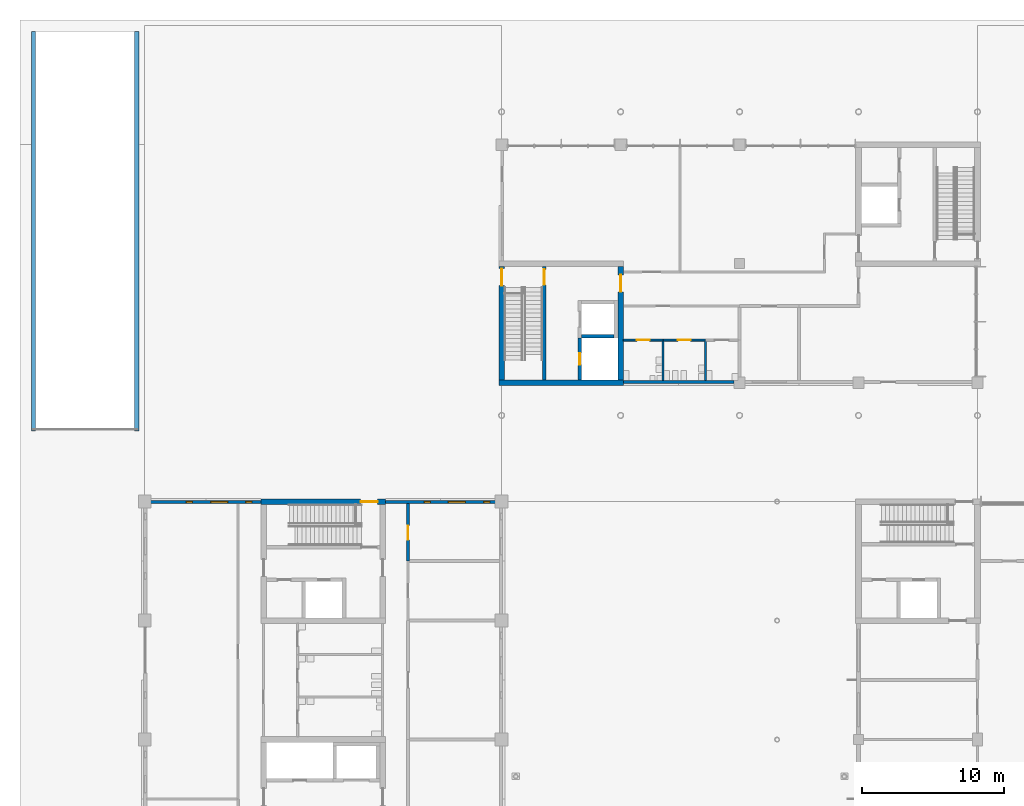
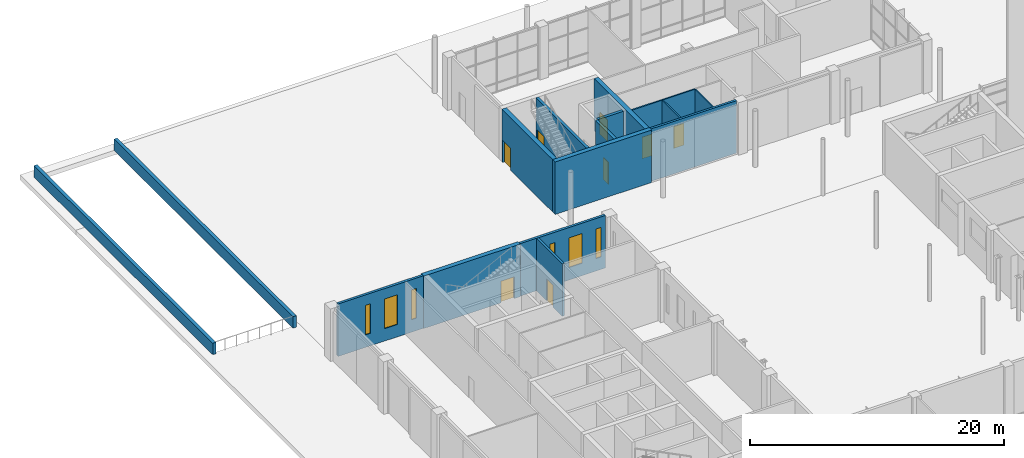
# One storey, part 44 of 76: 17 walls, 8 doors, 6 windows, 14 openings.
"""IFC4 building model written with IfcOpenShell, lengths in metres."""

from ifc_helpers import new_model, si_unit, direction, frame, frame_2d, origin, place, context, subcontext, project, spatial, rectangle, extrude, material, layer, layer_set, type_object, element, fill, save


model = new_model("IFC4")

# Units and contexts
model_context = context("Model", 3, precision=1e-05, world=origin(), true_north=direction((0.0, 1.0)))
body_context = subcontext(model_context, "Body", "Model", "MODEL_VIEW")
ifc_project = project(units=[si_unit("LENGTHUNIT", "METRE"), si_unit("AREAUNIT", "SQUARE_METRE"), si_unit("VOLUMEUNIT", "CUBIC_METRE"), si_unit("PLANEANGLEUNIT", "RADIAN"), si_unit("MASSUNIT", "GRAM", prefix="KILO")], contexts=[model_context])

# Site, building, storey
site_placement = place(None, origin())
site = spatial("IfcSite", under=ifc_project, at=site_placement, CompositionType="ELEMENT")
building_placement = place(site_placement, origin())
building = spatial("IfcBuilding", under=site, at=building_placement, Name="Hlaing Beacon Police Headquarters", CompositionType="ELEMENT")
storey_placement = place(building_placement, origin())
storey = spatial("IfcBuildingStorey", under=building, at=storey_placement, Name="L00", CompositionType="ELEMENT", Elevation=0.0)

# Wall
ifc_material_1 = material(Name="Concrete C60/75", Category="concrete")
ifc_layer_1 = layer(ifc_material_1, 0.39990234375)
ifc_layer_set_1 = layer_set([ifc_layer_1], Name="Concrete C60/75")
wall_type_1 = type_object("IfcWallType", Name="Core shear wall 400", PredefinedType="SHEAR", material=ifc_layer_set_1)
wall_1_placement = place(storey_placement, frame((33.39990234375, 75.60009765625, 0.0), z_axis=(0.0, 0.0, 1.0), x_axis=(1.0, 0.0, 0.0)))
element("IfcWall", 1, at=wall_1_placement, inside=storey, type_object=wall_type_1, Name="Core shear wall", PredefinedType="SHEAR", context=body_context, shape_type="SweptSolid", body=[
    extrude(rectangle(XDim=8.800048828125, YDim=0.39990234375, at=frame_2d((4.39990234375, 0.0))), origin(), (0.0, 0.0, 1.0), 5.050048828125),
])

# Wall, opening, door
wall_2_placement = place(storey_placement, frame((33.60009765625, 75.800048828125, 0.0), z_axis=(0.0, 0.0, 1.0), x_axis=(0.0, 1.0, 0.0)))
wall_2 = element("IfcWall", 2, at=wall_2_placement, inside=storey, type_object=wall_type_1, Name="Core shear wall", PredefinedType="SHEAR", context=body_context, shape_type="SweptSolid", body=[
    extrude(rectangle(XDim=8.0, YDim=0.39990234375, at=frame_2d((4.0, 0.0))), origin(), (0.0, 0.0, 1.0), 5.050048828125),
])
opening_1_placement = place(wall_2_placement, frame((6.64990234375, 0.0, 0.0)))
opening_1 = element("IfcOpeningElement", 3, at=opening_1_placement, cuts=wall_2, Name="Opening L00-922", PredefinedType="OPENING", context=body_context, shape_type="SweptSolid", body=[
    extrude(rectangle(XDim=1.199951171875, YDim=2.10009765625, at=frame_2d((0.60009765625, 1.050048828125))), frame((0.0, 0.2099609375, 0.0), z_axis=(0.0, -1.0, 0.0), x_axis=(1.0, 0.0, 0.0)), (0.0, 0.0, 1.0), 0.419921875),
])
ifc_material_2 = material(Name="Steel fire door leaf", Category="steel")
ifc_layer_2 = layer(ifc_material_2, 0.070068359375)
ifc_layer_set_2 = layer_set([ifc_layer_2], Name="Steel fire door leaf")
door_type_1 = type_object("IfcDoorType", Name="Steel fire door FD60 1200x2100", OperationType="SINGLE_SWING_LEFT", PredefinedType="DOOR", material=ifc_layer_set_2)
door_1_placement = place(opening_1_placement, origin())
door_1 = element("IfcDoor", 4, at=door_1_placement, inside=storey, type_object=door_type_1, Name="Door Stair ST-E Exit", OperationType="SINGLE_SWING_LEFT", OverallHeight=2.10009765625, OverallWidth=1.199951171875, PredefinedType="DOOR", context=body_context, shape_type="SweptSolid", body=[
    extrude(rectangle(XDim=1.199951171875, YDim=2.10009765625, at=frame_2d((0.60009765625, 1.050048828125))), frame((0.0, 0.03515625, 0.0), z_axis=(0.0, -1.0, 0.0), x_axis=(1.0, 0.0, 0.0)), (0.0, 0.0, 1.0), 0.070068359375),
])
fill(opening_1, door_1)

wall_3_placement = place(storey_placement, frame((42.0, 75.800048828125, 0.0), z_axis=(0.0, 0.0, 1.0), x_axis=(0.0, 1.0, 0.0)))
wall_3 = element("IfcWall", 5, at=wall_3_placement, inside=storey, type_object=wall_type_1, Name="Core shear wall", PredefinedType="SHEAR", context=body_context, shape_type="SweptSolid", body=[
    extrude(rectangle(XDim=8.0, YDim=0.39990234375, at=frame_2d((4.0, 0.0))), origin(), (0.0, 0.0, 1.0), 5.050048828125),
])
opening_2_placement = place(wall_3_placement, frame((6.199951171875, 0.0, 0.0)))
opening_2 = element("IfcOpeningElement", 6, at=opening_2_placement, cuts=wall_3, Name="Opening L00-919", PredefinedType="OPENING", context=body_context, shape_type="SweptSolid", body=[
    extrude(rectangle(XDim=1.199951171875, YDim=2.10009765625, at=frame_2d((0.60009765625, 1.050048828125))), frame((0.0, 0.2099609375, 0.0), z_axis=(0.0, -1.0, 0.0), x_axis=(1.0, 0.0, 0.0)), (0.0, 0.0, 1.0), 0.419921875),
])
ifc_material_3 = material(Name="Steel fire door leaf", Category="steel")
ifc_layer_3 = layer(ifc_material_3, 0.070068359375)
ifc_layer_set_3 = layer_set([ifc_layer_3], Name="Steel fire door leaf")
door_type_2 = type_object("IfcDoorType", Name="Steel fire door FD60S 1200x2100", OperationType="SINGLE_SWING_LEFT", PredefinedType="DOOR", material=ifc_layer_set_3)
door_2_placement = place(opening_2_placement, origin())
door_2 = element("IfcDoor", 7, at=door_2_placement, inside=storey, type_object=door_type_2, Name="Door Lift and Stair Lobby ST-E Entry", OperationType="SINGLE_SWING_RIGHT", OverallHeight=2.10009765625, OverallWidth=1.199951171875, PredefinedType="DOOR", context=body_context, shape_type="SweptSolid", body=[
    extrude(rectangle(XDim=1.199951171875, YDim=2.10009765625, at=frame_2d((0.60009765625, 1.050048828125))), frame((0.0, 0.03515625, 0.0), z_axis=(0.0, -1.0, 0.0), x_axis=(1.0, 0.0, 0.0)), (0.0, 0.0, 1.0), 0.070068359375),
])
fill(opening_2, door_2)

wall_4_placement = place(storey_placement, frame((16.60009765625, 67.199951171875, 0.0), z_axis=(0.0, 0.0, 1.0), x_axis=(1.0, 0.0, 0.0)))
wall_4 = element("IfcWall", 8, at=wall_4_placement, inside=storey, type_object=wall_type_1, Name="Core shear wall", PredefinedType="SHEAR", context=body_context, shape_type="SweptSolid", body=[
    extrude(rectangle(XDim=8.7998046875, YDim=0.39990234375, at=frame_2d((4.39990234375, 0.0))), origin(), (0.0, 0.0, 1.0), 5.050048828125),
])
opening_3_placement = place(wall_4_placement, frame((7.050048828125, 0.0, 0.0)))
opening_3 = element("IfcOpeningElement", 9, at=opening_3_placement, cuts=wall_4, Name="Opening L00-971", PredefinedType="OPENING", context=body_context, shape_type="SweptSolid", body=[
    extrude(rectangle(XDim=1.199951171875, YDim=2.10009765625, at=frame_2d((0.60009765625, 1.050048828125))), frame((0.0, 0.2099609375, 0.0), z_axis=(0.0, -1.0, 0.0), x_axis=(1.0, 0.0, 0.0)), (0.0, 0.0, 1.0), 0.419921875),
])
door_3_placement = place(opening_3_placement, origin())
door_3 = element("IfcDoor", 10, at=door_3_placement, inside=storey, type_object=door_type_1, Name="Door Stair ST-P Exit", OperationType="SINGLE_SWING_LEFT", OverallHeight=2.10009765625, OverallWidth=1.199951171875, PredefinedType="DOOR", context=body_context, shape_type="SweptSolid", body=[
    extrude(rectangle(XDim=1.199951171875, YDim=2.10009765625, at=frame_2d((0.60009765625, 1.050048828125))), frame((0.0, 0.03515625, 0.0), z_axis=(0.0, -1.0, 0.0), x_axis=(1.0, 0.0, 0.0)), (0.0, 0.0, 1.0), 0.070068359375),
])
fill(opening_3, door_3)

# Wall
ifc_material_4 = material(Name="Insulated aluminium cladding system", Category="aluminium")
ifc_layer_4 = layer(ifc_material_4, 0.199951171875)
ifc_layer_set_4 = layer_set([ifc_layer_4], Name="Insulated aluminium cladding system")
wall_type_2 = type_object("IfcWallType", Name="Insulated aluminium clad wall 200", PredefinedType="SOLIDWALL", material=ifc_layer_set_4)
wall_5_placement = place(storey_placement, frame((42.199951171875, 75.64990234375, 0.0), z_axis=(0.0, 0.0, 1.0), x_axis=(1.0, 0.0, 0.0)))
element("IfcWall", 11, at=wall_5_placement, inside=storey, type_object=wall_type_2, Name="External wall L00 S051", PredefinedType="SOLIDWALL", context=body_context, shape_type="SweptSolid", body=[
    extrude(rectangle(XDim=7.820068359375, YDim=0.199951171875, at=frame_2d((3.91015625, 0.0))), origin(), (0.0, 0.0, 1.0), 5.050048828125),
])

# Wall, opening, door
ifc_material_5 = material(Name="Concrete blockwork 7.5 N/mm2", Category="masonry")
ifc_layer_5 = layer(ifc_material_5, 0.199951171875)
ifc_layer_set_5 = layer_set([ifc_layer_5], Name="Concrete blockwork 7.5 N/mm2")
wall_type_3 = type_object("IfcWallType", Name="Laboratory wall EI 60 200", PredefinedType="PARTITIONING", material=ifc_layer_set_5)
wall_6_placement = place(storey_placement, frame((27.0, 63.0, 0.0), z_axis=(0.0, 0.0, 1.0), x_axis=(0.0, 1.0, 0.0)))
wall_6 = element("IfcWall", 12, at=wall_6_placement, inside=storey, type_object=wall_type_3, Name="Laboratory wall EI 60 200", PredefinedType="PARTITIONING", context=body_context, shape_type="SweptSolid", body=[
    extrude(rectangle(XDim=4.050048828125, YDim=0.199951171875, at=frame_2d((2.02490234375, 0.0))), origin(), (0.0, 0.0, 1.0), 5.050048828125),
])
opening_4_placement = place(wall_6_placement, frame((1.5, 0.0, 0.0)))
opening_4 = element("IfcOpeningElement", 13, at=opening_4_placement, cuts=wall_6, Name="Opening L00-068", PredefinedType="OPENING", context=body_context, shape_type="SweptSolid", body=[
    extrude(rectangle(XDim=1.0, YDim=2.10009765625, at=frame_2d((0.5, 1.050048828125))), frame((0.0, 0.10986328125, 0.0), z_axis=(0.0, -1.0, 0.0), x_axis=(1.0, 0.0, 0.0)), (0.0, 0.0, 1.0), 0.219970703125),
])
ifc_material_6 = material(Name="Hardwood door leaf", Category="wood")
ifc_layer_6 = layer(ifc_material_6, 0.050048828125)
ifc_layer_set_6 = layer_set([ifc_layer_6], Name="Hardwood door leaf")
door_type_3 = type_object("IfcDoorType", Name="Fire door FD30 1000x2100", OperationType="SINGLE_SWING_LEFT", PredefinedType="DOOR", material=ifc_layer_set_6)
door_4_placement = place(opening_4_placement, frame((1.0, 0.0, 0.0), z_axis=(0.0, 0.0, 1.0), x_axis=(-1.0, 0.0, 0.0)))
door_4 = element("IfcDoor", 14, at=door_4_placement, inside=storey, type_object=door_type_3, Name="Door Quarantine Room", OperationType="SINGLE_SWING_RIGHT", OverallHeight=2.10009765625, OverallWidth=1.0, PredefinedType="DOOR", context=body_context, shape_type="SweptSolid", body=[
    extrude(rectangle(XDim=1.0, YDim=2.10009765625, at=frame_2d((0.5, 1.050048828125))), frame((0.0, 0.025146484375, 0.0), z_axis=(0.0, -1.0, 0.0), x_axis=(1.0, 0.0, 0.0)), (0.0, 0.0, 1.0), 0.050048828125),
])
fill(opening_4, door_4)

# Wall
ifc_material_7 = material(Name="Gypsum board partition")
ifc_layer_7 = layer(ifc_material_7, 0.125)
ifc_layer_set_7 = layer_set([ifc_layer_7], Name="Gypsum board partition")
wall_type_4 = type_object("IfcWallType", Name="Partition 125", PredefinedType="PARTITIONING", material=ifc_layer_set_7)
wall_7_placement = place(storey_placement, frame((48.0, 75.75, 0.0), z_axis=(0.0, 0.0, 1.0), x_axis=(0.0, 1.0, 0.0)))
element("IfcWall", 15, at=wall_7_placement, inside=storey, type_object=wall_type_4, Name="Partition 125", PredefinedType="PARTITIONING", context=body_context, shape_type="SweptSolid", body=[
    extrude(rectangle(XDim=2.787109375, YDim=0.125, at=frame_2d((1.3935546875, 0.0))), origin(), (0.0, 0.0, 1.0), 5.050048828125),
])

# Wall, opening, door
wall_8_placement = place(storey_placement, frame((45.0, 78.60009765625, 0.0), z_axis=(0.0, 0.0, 1.0), x_axis=(1.0, 0.0, 0.0)))
wall_8 = element("IfcWall", 16, at=wall_8_placement, inside=storey, type_object=wall_type_4, Name="Partition 125", PredefinedType="PARTITIONING", context=body_context, shape_type="SweptSolid", body=[
    extrude(rectangle(XDim=3.0, YDim=0.125, at=frame_2d((1.5, 0.0))), origin(), (0.0, 0.0, 1.0), 5.050048828125),
])
opening_5_placement = place(wall_8_placement, frame((1.050048828125, 0.0, 0.0)))
opening_5 = element("IfcOpeningElement", 17, at=opening_5_placement, cuts=wall_8, Name="Opening L00-019", PredefinedType="OPENING", context=body_context, shape_type="SweptSolid", body=[
    extrude(rectangle(XDim=0.89990234375, YDim=2.10009765625, at=frame_2d((0.449951171875, 1.050048828125))), frame((0.0, 0.072509765625, 0.0), z_axis=(0.0, -1.0, 0.0), x_axis=(1.0, 0.0, 0.0)), (0.0, 0.0, 1.0), 0.14501953125),
])
ifc_material_8 = material(Name="Hardwood door leaf", Category="wood")
ifc_layer_8 = layer(ifc_material_8, 0.0400390625)
ifc_layer_set_8 = layer_set([ifc_layer_8], Name="Hardwood door leaf")
door_type_4 = type_object("IfcDoorType", Name="Door 900x2100", OperationType="SINGLE_SWING_LEFT", PredefinedType="DOOR", material=ifc_layer_set_8)
door_5_placement = place(opening_5_placement, frame((0.89990234375, 0.0, 0.0), z_axis=(0.0, 0.0, 1.0), x_axis=(-1.0, 0.0, 0.0)))
door_5 = element("IfcDoor", 18, at=door_5_placement, inside=storey, type_object=door_type_4, Name="Door Female WC", OperationType="SINGLE_SWING_LEFT", OverallHeight=2.10009765625, OverallWidth=0.89990234375, PredefinedType="DOOR", context=body_context, shape_type="SweptSolid", body=[
    extrude(rectangle(XDim=0.89990234375, YDim=2.10009765625, at=frame_2d((0.449951171875, 1.050048828125))), frame((0.0, 0.02001953125, 0.0), z_axis=(0.0, -1.0, 0.0), x_axis=(1.0, 0.0, 0.0)), (0.0, 0.0, 1.0), 0.0400390625),
])
fill(opening_5, door_5)

# Wall
wall_9_placement = place(storey_placement, frame((45.0, 75.75, 0.0), z_axis=(0.0, 0.0, 1.0), x_axis=(0.0, 1.0, 0.0)))
element("IfcWall", 19, at=wall_9_placement, inside=storey, type_object=wall_type_4, Name="Partition 125", PredefinedType="PARTITIONING", context=body_context, shape_type="SweptSolid", body=[
    extrude(rectangle(XDim=2.787109375, YDim=0.125, at=frame_2d((1.3935546875, 0.0))), origin(), (0.0, 0.0, 1.0), 5.050048828125),
])

# Wall, opening, door
wall_10_placement = place(storey_placement, frame((42.199951171875, 78.60009765625, 0.0), z_axis=(0.0, 0.0, 1.0), x_axis=(1.0, 0.0, 0.0)))
wall_10 = element("IfcWall", 20, at=wall_10_placement, inside=storey, type_object=wall_type_4, Name="Partition 125", PredefinedType="PARTITIONING", context=body_context, shape_type="SweptSolid", body=[
    extrude(rectangle(XDim=2.800048828125, YDim=0.125, at=frame_2d((1.39990234375, 0.0))), origin(), (0.0, 0.0, 1.0), 5.050048828125),
])
opening_6_placement = place(wall_10_placement, frame((0.949951171875, 0.0, 0.0)))
opening_6 = element("IfcOpeningElement", 21, at=opening_6_placement, cuts=wall_10, Name="Opening L00-021", PredefinedType="OPENING", context=body_context, shape_type="SweptSolid", body=[
    extrude(rectangle(XDim=0.89990234375, YDim=2.10009765625, at=frame_2d((0.449951171875, 1.050048828125))), frame((0.0, 0.072509765625, 0.0), z_axis=(0.0, -1.0, 0.0), x_axis=(1.0, 0.0, 0.0)), (0.0, 0.0, 1.0), 0.14501953125),
])
door_6_placement = place(opening_6_placement, frame((0.89990234375, 0.0, 0.0), z_axis=(0.0, 0.0, 1.0), x_axis=(-1.0, 0.0, 0.0)))
door_6 = element("IfcDoor", 22, at=door_6_placement, inside=storey, type_object=door_type_4, Name="Door Male WC", OperationType="SINGLE_SWING_LEFT", OverallHeight=2.10009765625, OverallWidth=0.89990234375, PredefinedType="DOOR", context=body_context, shape_type="SweptSolid", body=[
    extrude(rectangle(XDim=0.89990234375, YDim=2.10009765625, at=frame_2d((0.449951171875, 1.050048828125))), frame((0.0, 0.02001953125, 0.0), z_axis=(0.0, -1.0, 0.0), x_axis=(1.0, 0.0, 0.0)), (0.0, 0.0, 1.0), 0.0400390625),
])
fill(opening_6, door_6)

# Walls
ifc_material_9 = material(Name="Concrete C40/50", Category="concrete")
ifc_layer_9 = layer(ifc_material_9, 0.300048828125)
ifc_layer_set_9 = layer_set([ifc_layer_9], Name="Concrete C40/50")
wall_type_5 = type_object("IfcWallType", Name="Ramp parapet 300", PredefinedType="PARAPET", material=ifc_layer_set_9)
for number, where, z_axis, x_axis, name in (
    (23, (0.550048828125, 72.199951171875, 0.0), (0.0, 0.0, 1.0), (0.0, 1.0, 0.0), "Ramp parapet R1"),
    (24, (7.85009765625, 72.199951171875, 0.0), (0.0, 0.0, 1.0), (0.0, 1.0, 0.0), "Ramp parapet R1"),
):
    element("IfcWall", number, at=place(storey_placement, frame(where, z_axis=z_axis, x_axis=x_axis)), inside=storey, type_object=wall_type_5, Name=name, PredefinedType="PARAPET", context=body_context, shape_type="SweptSolid", body=[
        extrude(rectangle(XDim=28.199951171875, YDim=0.300048828125, at=frame_2d((14.10009765625, 0.0))), origin(), (0.0, 0.0, 1.0), 1.10009765625),
    ])

# Wall, openings, windows
ifc_material_10 = material(Name="Fibre cement ribbed cladding on insulated frame")
ifc_layer_10 = layer(ifc_material_10, 0.22509765625)
ifc_layer_set_10 = layer_set([ifc_layer_10], Name="Fibre cement ribbed cladding on insulated frame")
wall_type_6 = type_object("IfcWallType", Name="Ribbed fibre-cement clad wall 225", PredefinedType="SOLIDWALL", material=ifc_layer_set_10)
wall_11_placement = place(storey_placement, frame((33.169921875, 67.16259765625, 0.0), z_axis=(0.0, 0.0, 1.0), x_axis=(-1.0, 0.0, 0.0)))
wall_11 = element("IfcWall", 25, at=wall_11_placement, inside=storey, type_object=wall_type_6, Name="External wall L00 N008", PredefinedType="SOLIDWALL", context=body_context, shape_type="SweptSolid", body=[
    extrude(rectangle(XDim=7.77001953125, YDim=0.22509765625, at=frame_2d((3.885009765625, 0.0))), origin(), (0.0, 0.0, 1.0), 5.050048828125),
])
opening_7_placement = place(wall_11_placement, frame((0.39501953125, 0.0, 1.199951171875)))
opening_7 = element("IfcOpeningElement", 26, at=opening_7_placement, cuts=wall_11, Name="Opening WN4", PredefinedType="OPENING", context=body_context, shape_type="SweptSolid", body=[
    extrude(rectangle(XDim=0.449951171875, YDim=2.85009765625, at=frame_2d((0.22509765625, 1.425048828125))), frame((0.0, 0.12255859375, 0.0), z_axis=(0.0, -1.0, 0.0), x_axis=(1.0, 0.0, 0.0)), (0.0, 0.0, 1.0), 0.2451171875),
])
opening_8_placement = place(wall_11_placement, frame((2.1201171875, 0.0, 1.199951171875)))
opening_8 = element("IfcOpeningElement", 27, at=opening_8_placement, cuts=wall_11, Name="Opening WN5", PredefinedType="OPENING", context=body_context, shape_type="SweptSolid", body=[
    extrude(rectangle(XDim=1.199951171875, YDim=2.85009765625, at=frame_2d((0.60009765625, 1.425048828125))), frame((0.0, 0.12255859375, 0.0), z_axis=(0.0, -1.0, 0.0), x_axis=(1.0, 0.0, 0.0)), (0.0, 0.0, 1.0), 0.2451171875),
])
opening_9_placement = place(wall_11_placement, frame((4.594970703125, 0.0, 1.199951171875)))
opening_9 = element("IfcOpeningElement", 28, at=opening_9_placement, cuts=wall_11, Name="Opening WN4", PredefinedType="OPENING", context=body_context, shape_type="SweptSolid", body=[
    extrude(rectangle(XDim=0.449951171875, YDim=2.85009765625, at=frame_2d((0.22509765625, 1.425048828125))), frame((0.0, 0.12255859375, 0.0), z_axis=(0.0, -1.0, 0.0), x_axis=(1.0, 0.0, 0.0)), (0.0, 0.0, 1.0), 0.2451171875),
])
ifc_material_11 = material(Name="Aluminium frame with solar control glazing", Category="aluminium")
window_type_1 = type_object("IfcWindowType", Name="Module window 1200x2850 frame 100", PartitioningType="SINGLE_PANEL", PredefinedType="WINDOW", material=ifc_material_11)
window_1_placement = place(opening_8_placement, origin())
window_1 = element("IfcWindow", 29, at=window_1_placement, inside=storey, type_object=window_type_1, Name="Window L00 WC", OverallHeight=2.85009765625, OverallWidth=1.199951171875, PartitioningType="SINGLE_PANEL", PredefinedType="WINDOW", context=body_context, shape_type="SweptSolid", body=[
    extrude(rectangle(XDim=1.199951171875, YDim=2.85009765625, at=frame_2d((0.60009765625, 1.425048828125))), frame((0.0, 0.050048828125, 0.0), z_axis=(0.0, -1.0, 0.0), x_axis=(1.0, 0.0, 0.0)), (0.0, 0.0, 1.0), 0.10009765625),
])
fill(opening_8, window_1)
ifc_material_12 = material(Name="Aluminium frame with solar control glazing", Category="aluminium")
window_type_2 = type_object("IfcWindowType", Name="Slot window 450x2850 frame 100", PartitioningType="SINGLE_PANEL", PredefinedType="WINDOW", material=ifc_material_12)
window_2_placement = place(opening_7_placement, origin())
window_2 = element("IfcWindow", 30, at=window_2_placement, inside=storey, type_object=window_type_2, Name="Window L00 WS", OverallHeight=2.85009765625, OverallWidth=0.449951171875, PartitioningType="SINGLE_PANEL", PredefinedType="WINDOW", context=body_context, shape_type="SweptSolid", body=[
    extrude(rectangle(XDim=0.449951171875, YDim=2.85009765625, at=frame_2d((0.22509765625, 1.425048828125))), frame((0.0, 0.050048828125, 0.0), z_axis=(0.0, -1.0, 0.0), x_axis=(1.0, 0.0, 0.0)), (0.0, 0.0, 1.0), 0.10009765625),
])
fill(opening_7, window_2)
window_3_placement = place(opening_9_placement, origin())
window_3 = element("IfcWindow", 31, at=window_3_placement, inside=storey, type_object=window_type_2, Name="Window L00 WS", OverallHeight=2.85009765625, OverallWidth=0.449951171875, PartitioningType="SINGLE_PANEL", PredefinedType="WINDOW", context=body_context, shape_type="SweptSolid", body=[
    extrude(rectangle(XDim=0.449951171875, YDim=2.85009765625, at=frame_2d((0.22509765625, 1.425048828125))), frame((0.0, 0.050048828125, 0.0), z_axis=(0.0, -1.0, 0.0), x_axis=(1.0, 0.0, 0.0)), (0.0, 0.0, 1.0), 0.10009765625),
])
fill(opening_9, window_3)

wall_12_placement = place(storey_placement, frame((16.60009765625, 67.16259765625, 0.0), z_axis=(0.0, 0.0, 1.0), x_axis=(-1.0, 0.0, 0.0)))
wall_12 = element("IfcWall", 32, at=wall_12_placement, inside=storey, type_object=wall_type_6, Name="External wall L00 N009", PredefinedType="SOLIDWALL", context=body_context, shape_type="SweptSolid", body=[
    extrude(rectangle(XDim=7.77001953125, YDim=0.22509765625, at=frame_2d((3.885009765625, 0.0))), origin(), (0.0, 0.0, 1.0), 5.050048828125),
])
opening_10_placement = place(wall_12_placement, frame((0.625, 0.0, 1.199951171875)))
opening_10 = element("IfcOpeningElement", 33, at=opening_10_placement, cuts=wall_12, Name="Opening WN4", PredefinedType="OPENING", context=body_context, shape_type="SweptSolid", body=[
    extrude(rectangle(XDim=0.449951171875, YDim=2.85009765625, at=frame_2d((0.22509765625, 1.425048828125))), frame((0.0, 0.12255859375, 0.0), z_axis=(0.0, -1.0, 0.0), x_axis=(1.0, 0.0, 0.0)), (0.0, 0.0, 1.0), 0.2451171875),
])
opening_11_placement = place(wall_12_placement, frame((2.35009765625, 0.0, 1.199951171875)))
opening_11 = element("IfcOpeningElement", 34, at=opening_11_placement, cuts=wall_12, Name="Opening WN5", PredefinedType="OPENING", context=body_context, shape_type="SweptSolid", body=[
    extrude(rectangle(XDim=1.199951171875, YDim=2.85009765625, at=frame_2d((0.60009765625, 1.425048828125))), frame((0.0, 0.12255859375, 0.0), z_axis=(0.0, -1.0, 0.0), x_axis=(1.0, 0.0, 0.0)), (0.0, 0.0, 1.0), 0.2451171875),
])
opening_12_placement = place(wall_12_placement, frame((4.824951171875, 0.0, 1.199951171875)))
opening_12 = element("IfcOpeningElement", 35, at=opening_12_placement, cuts=wall_12, Name="Opening WN4", PredefinedType="OPENING", context=body_context, shape_type="SweptSolid", body=[
    extrude(rectangle(XDim=0.449951171875, YDim=2.85009765625, at=frame_2d((0.22509765625, 1.425048828125))), frame((0.0, 0.12255859375, 0.0), z_axis=(0.0, -1.0, 0.0), x_axis=(1.0, 0.0, 0.0)), (0.0, 0.0, 1.0), 0.2451171875),
])
window_4_placement = place(opening_11_placement, origin())
window_4 = element("IfcWindow", 36, at=window_4_placement, inside=storey, type_object=window_type_1, Name="Window L00 WC", OverallHeight=2.85009765625, OverallWidth=1.199951171875, PartitioningType="SINGLE_PANEL", PredefinedType="WINDOW", context=body_context, shape_type="SweptSolid", body=[
    extrude(rectangle(XDim=1.199951171875, YDim=2.85009765625, at=frame_2d((0.60009765625, 1.425048828125))), frame((0.0, 0.050048828125, 0.0), z_axis=(0.0, -1.0, 0.0), x_axis=(1.0, 0.0, 0.0)), (0.0, 0.0, 1.0), 0.10009765625),
])
fill(opening_11, window_4)
window_5_placement = place(opening_10_placement, origin())
window_5 = element("IfcWindow", 37, at=window_5_placement, inside=storey, type_object=window_type_2, Name="Window L00 WS", OverallHeight=2.85009765625, OverallWidth=0.449951171875, PartitioningType="SINGLE_PANEL", PredefinedType="WINDOW", context=body_context, shape_type="SweptSolid", body=[
    extrude(rectangle(XDim=0.449951171875, YDim=2.85009765625, at=frame_2d((0.22509765625, 1.425048828125))), frame((0.0, 0.050048828125, 0.0), z_axis=(0.0, -1.0, 0.0), x_axis=(1.0, 0.0, 0.0)), (0.0, 0.0, 1.0), 0.10009765625),
])
fill(opening_10, window_5)
window_6_placement = place(opening_12_placement, origin())
window_6 = element("IfcWindow", 38, at=window_6_placement, inside=storey, type_object=window_type_2, Name="Window L00 WS", OverallHeight=2.85009765625, OverallWidth=0.449951171875, PartitioningType="SINGLE_PANEL", PredefinedType="WINDOW", context=body_context, shape_type="SweptSolid", body=[
    extrude(rectangle(XDim=0.449951171875, YDim=2.85009765625, at=frame_2d((0.22509765625, 1.425048828125))), frame((0.0, 0.050048828125, 0.0), z_axis=(0.0, -1.0, 0.0), x_axis=(1.0, 0.0, 0.0)), (0.0, 0.0, 1.0), 0.10009765625),
])
fill(opening_12, window_6)

# Wall, opening, door
ifc_material_13 = material(Name="Concrete C40/50", Category="concrete")
ifc_layer_11 = layer(ifc_material_13, 0.25)
ifc_layer_set_11 = layer_set([ifc_layer_11], Name="Concrete C40/50")
wall_type_7 = type_object("IfcWallType", Name="Shaft wall 250", PredefinedType="SOLIDWALL", material=ifc_layer_set_11)
wall_13_placement = place(storey_placement, frame((36.625, 83.800048828125, 0.0), z_axis=(0.0, 0.0, 1.0), x_axis=(0.0, -1.0, 0.0)))
wall_13 = element("IfcWall", 39, at=wall_13_placement, inside=storey, type_object=wall_type_7, Name="Stair enclosure wall", PredefinedType="SOLIDWALL", context=body_context, shape_type="SweptSolid", body=[
    extrude(rectangle(XDim=8.0, YDim=0.25, at=frame_2d((4.0, 0.0))), origin(), (0.0, 0.0, 1.0), 5.050048828125),
])
opening_13_placement = place(wall_13_placement, frame((0.199951171875, 0.0, 0.0)))
opening_13 = element("IfcOpeningElement", 40, at=opening_13_placement, cuts=wall_13, Name="Opening L00-921", PredefinedType="OPENING", context=body_context, shape_type="SweptSolid", body=[
    extrude(rectangle(XDim=1.10009765625, YDim=2.10009765625, at=frame_2d((0.550048828125, 1.050048828125))), frame((0.0, 0.135009765625, 0.0), z_axis=(0.0, -1.0, 0.0), x_axis=(1.0, 0.0, 0.0)), (0.0, 0.0, 1.0), 0.27001953125),
])
ifc_material_14 = material(Name="Steel fire door leaf", Category="steel")
ifc_layer_12 = layer(ifc_material_14, 0.070068359375)
ifc_layer_set_12 = layer_set([ifc_layer_12], Name="Steel fire door leaf")
door_type_5 = type_object("IfcDoorType", Name="Steel fire door FD60 1100x2100", OperationType="SINGLE_SWING_LEFT", PredefinedType="DOOR", material=ifc_layer_set_12)
door_7_placement = place(opening_13_placement, frame((1.10009765625, 0.0, 0.0), z_axis=(0.0, 0.0, 1.0), x_axis=(-1.0, 0.0, 0.0)))
door_7 = element("IfcDoor", 41, at=door_7_placement, inside=storey, type_object=door_type_5, Name="Door Stair ST-E", OperationType="SINGLE_SWING_LEFT", OverallHeight=2.10009765625, OverallWidth=1.10009765625, PredefinedType="DOOR", context=body_context, shape_type="SweptSolid", body=[
    extrude(rectangle(XDim=1.10009765625, YDim=2.10009765625, at=frame_2d((0.550048828125, 1.050048828125))), frame((0.0, 0.034912109375, 0.0), z_axis=(0.0, -1.0, 0.0), x_axis=(1.0, 0.0, 0.0)), (0.0, 0.0, 1.0), 0.070068359375),
])
fill(opening_13, door_7)

wall_14_placement = place(storey_placement, frame((39.125, 78.75, 0.0), z_axis=(0.0, 0.0, 1.0), x_axis=(0.0, -1.0, 0.0)))
wall_14 = element("IfcWall", 42, at=wall_14_placement, inside=storey, type_object=wall_type_7, Name="Lobby wall", PredefinedType="SOLIDWALL", context=body_context, shape_type="SweptSolid", body=[
    extrude(rectangle(XDim=2.949951171875, YDim=0.25, at=frame_2d((1.47509765625, 0.0))), origin(), (0.0, 0.0, 1.0), 5.050048828125),
])
opening_14_placement = place(wall_14_placement, frame((1.074951171875, 0.0, 0.0)))
opening_14 = element("IfcOpeningElement", 43, at=opening_14_placement, cuts=wall_14, Name="Opening L00-920", PredefinedType="OPENING", context=body_context, shape_type="SweptSolid", body=[
    extrude(rectangle(XDim=0.800048828125, YDim=2.10009765625, at=frame_2d((0.39990234375, 1.050048828125))), frame((0.0, 0.135009765625, 0.0), z_axis=(0.0, -1.0, 0.0), x_axis=(1.0, 0.0, 0.0)), (0.0, 0.0, 1.0), 0.27001953125),
])
ifc_material_15 = material(Name="Steel fire door leaf", Category="steel")
ifc_layer_13 = layer(ifc_material_15, 0.070068359375)
ifc_layer_set_13 = layer_set([ifc_layer_13], Name="Steel fire door leaf")
door_type_6 = type_object("IfcDoorType", Name="Steel fire door FD60 800x2100", OperationType="SINGLE_SWING_LEFT", PredefinedType="DOOR", material=ifc_layer_set_13)
door_8_placement = place(opening_14_placement, origin())
door_8 = element("IfcDoor", 44, at=door_8_placement, inside=storey, type_object=door_type_6, Name="Door Services Riser", OperationType="SINGLE_SWING_RIGHT", OverallHeight=2.10009765625, OverallWidth=0.800048828125, PredefinedType="DOOR", context=body_context, shape_type="SweptSolid", body=[
    extrude(rectangle(XDim=0.800048828125, YDim=2.10009765625, at=frame_2d((0.39990234375, 1.050048828125))), frame((0.0, 0.03515625, 0.0), z_axis=(0.0, -1.0, 0.0), x_axis=(1.0, 0.0, 0.0)), (0.0, 0.0, 1.0), 0.070068359375),
])
fill(opening_14, door_8)

# Wall
wall_15_placement = place(storey_placement, frame((39.25, 78.875, 0.0), z_axis=(0.0, 0.0, 1.0), x_axis=(1.0, 0.0, 0.0)))
element("IfcWall", 45, at=wall_15_placement, inside=storey, type_object=wall_type_7, Name="Lift shaft wall PL3", PredefinedType="SOLIDWALL", context=body_context, shape_type="SweptSolid", body=[
    extrude(rectangle(XDim=2.300048828125, YDim=0.25, at=frame_2d((1.14990234375, 0.0))), origin(), (0.0, 0.0, 1.0), 5.050048828125),
])

save(model, "model.ifc")
